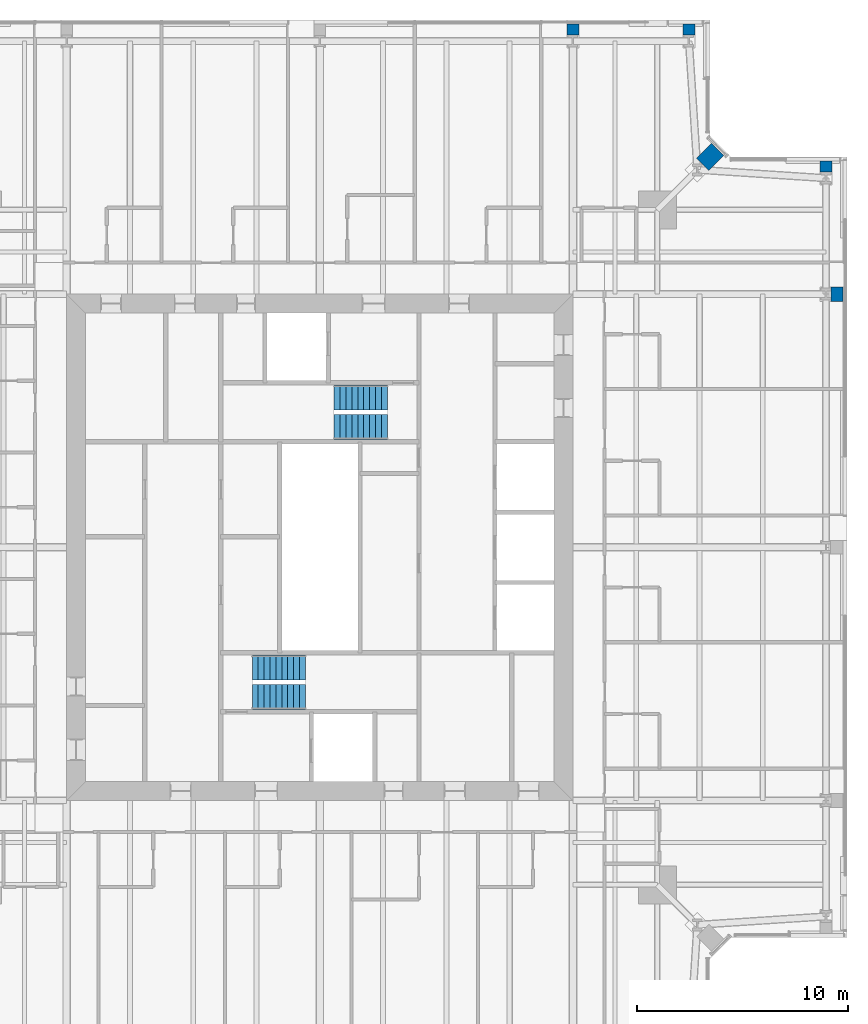
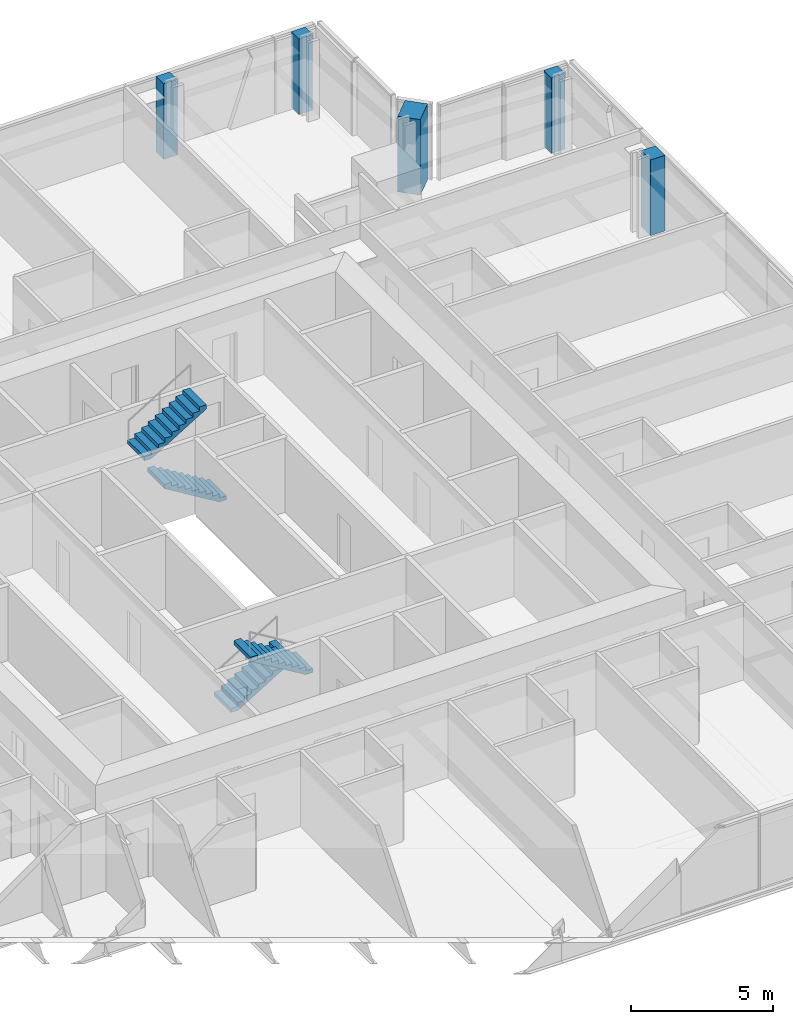
# One storey, part 15 of 20: 5 walls, 4 stair flights, 2 elements without a shape of their own.
"""IFC4 building model written with IfcOpenShell, lengths in metres."""

from ifc_helpers import new_model, si_unit, direction, frame, frame_2d, origin, place, context, subcontext, project, spatial, polyline, rectangle, outline, extrude, material, layer, layer_set, type_object, element, aggregate, save


model = new_model("IFC4")

# Units and contexts
model_context = context("Model", 3, precision=1e-05, world=origin(), true_north=direction((0.0, 1.0)))
body_context = subcontext(model_context, "Body", "Model", "MODEL_VIEW")
ifc_project = project(units=[si_unit("LENGTHUNIT", "METRE"), si_unit("AREAUNIT", "SQUARE_METRE"), si_unit("VOLUMEUNIT", "CUBIC_METRE"), si_unit("PLANEANGLEUNIT", "RADIAN"), si_unit("MASSUNIT", "GRAM", prefix="KILO")], contexts=[model_context])

# Site, building, storey
site_placement = place(None, origin())
site = spatial("IfcSite", under=ifc_project, at=site_placement, CompositionType="ELEMENT")
building_placement = place(site_placement, origin())
building = spatial("IfcBuilding", under=site, at=building_placement, Name="Fenwick Lantern Interchange", CompositionType="ELEMENT")
storey_placement = place(building_placement, frame((0.0, 0.0, 252.60009765625)))
storey = spatial("IfcBuildingStorey", under=building, at=storey_placement, Name="L59", CompositionType="ELEMENT", Elevation=252.60009765625)

# Walls
ifc_material_1 = material(Name="Fire-rated gypsum board encasement on steel studs, 2 hour", Category="steel")
ifc_layer_1 = layer(ifc_material_1, 0.554931640625)
ifc_layer_set_1 = layer_set([ifc_layer_1], Name="COLUMN PIER 555")
wall_type_1 = type_object("IfcWallType", Name="COLUMN PIER 555", PredefinedType="PARTITIONING", material=ifc_layer_set_1)
for number, where, z_axis, x_axis, name in (
    (1, (49.0, 43.31005859375, 0.0), (0.0, 0.0, 1.0), (0.0, -1.0, 0.0), "L59/W/PIER/CE5"),
    (2, (42.5, 49.81005859375, 0.0), (0.0, 0.0, 1.0), (0.0, -1.0, 0.0), "L59/W/PIER/CN1"),
    (3, (37.0, 49.81005859375, 0.0), (0.0, 0.0, 1.0), (0.0, -1.0, 0.0), "L59/W/PIER/CN2"),
):
    element("IfcWall", number, at=place(storey_placement, frame(where, z_axis=z_axis, x_axis=x_axis)), inside=storey, type_object=wall_type_1, Name=name, PredefinedType="PARTITIONING", context=body_context, shape_type="SweptSolid", body=[
        extrude(rectangle(XDim=0.525634765625, YDim=0.554931640625, at=frame_2d((0.2626953125, 0.0))), origin(), (0.0, 0.0, 1.0), 3.25),
    ])
ifc_layer_2 = layer(ifc_material_1, 0.6689453125)
ifc_layer_set_2 = layer_set([ifc_layer_2], Name="COLUMN PIER 669")
wall_type_2 = type_object("IfcWallType", Name="COLUMN PIER 669", PredefinedType="PARTITIONING", material=ifc_layer_set_2)
wall_1_placement = place(storey_placement, frame((49.81005859375, 37.0, 0.0), z_axis=(0.0, 0.0, 1.0), x_axis=(-1.0, 0.0, 0.0)))
element("IfcWall", 4, at=wall_1_placement, inside=storey, type_object=wall_type_2, Name="L59/W/PIER/CE4", PredefinedType="PARTITIONING", context=body_context, shape_type="SweptSolid", body=[
    extrude(rectangle(XDim=0.582763671875, YDim=0.6689453125, at=frame_2d((0.29150390625, 0.0))), origin(), (0.0, 0.0, 1.0), 3.25),
])
ifc_layer_3 = layer(ifc_material_1, 0.823974609375)
ifc_layer_set_3 = layer_set([ifc_layer_3], Name="COLUMN PIER 824")
wall_type_3 = type_object("IfcWallType", Name="COLUMN PIER 824", PredefinedType="PARTITIONING", material=ifc_layer_set_3)
wall_2_placement = place(storey_placement, frame((43.86572265625, 43.86572265625, 0.0), z_axis=(0.0, 0.0, 1.0), x_axis=(-0.707106781187, -0.707106781187, 0.0)))
element("IfcWall", 5, at=wall_2_placement, inside=storey, type_object=wall_type_3, Name="L59/W/PIER/CER", PredefinedType="PARTITIONING", context=body_context, shape_type="SweptSolid", body=[
    extrude(rectangle(XDim=1.003662109375, YDim=0.823974609375, at=frame_2d((0.501953125, 0.0))), origin(), (0.0, 0.0, 1.0), 3.25),
])

# Stair, stair flights
ifc_material_2 = material(Name="Precast concrete f'c 35 MPa", Category="concrete")
stair_type = type_object("IfcStairType", Name="EXIT STAIR 1200", PredefinedType="HALF_TURN_STAIR", material=ifc_material_2)
stair_1_placement = place(storey_placement, origin())
stair_1 = element("IfcStair", 6, at=stair_1_placement, inside=storey, type_object=stair_type, Name="Exit stair ST1", PredefinedType="HALF_TURN_STAIR")
stair_flight_type = type_object("IfcStairFlightType", Name="STAIR FLIGHT 1200", PredefinedType="STRAIGHT", material=ifc_material_2)
stair_flight_1_placement = place(storey_placement, frame((21.800048828125, 19.300048828125, 0.0), z_axis=(0.0, 0.0, 1.0), x_axis=(1.0, 0.0, 0.0)))
stair_flight_1 = element("IfcStairFlight", 7, at=stair_flight_1_placement, type_object=stair_flight_type, Name="ST1 flight 1", NumberOfRisers=10, NumberOfTreads=9, PredefinedType="STRAIGHT", RiserHeight=0.17, TreadLength=0.28, context=body_context, shape_type="SweptSolid", body=[
    extrude(outline(polyline([(0.0, 0.0), (0.0, 0.169921875), (0.280029296875, 0.169921875), (0.280029296875, 0.340087890625), (0.56005859375, 0.340087890625), (0.56005859375, 0.510009765625), (0.840087890625, 0.510009765625), (0.840087890625, 0.679931640625), (1.1201171875, 0.679931640625), (1.1201171875, 0.85009765625), (1.39990234375, 0.85009765625), (1.39990234375, 1.02001953125), (1.679931640625, 1.02001953125), (1.679931640625, 1.18994140625), (1.9599609375, 1.18994140625), (1.9599609375, 1.360107421875), (2.239990234375, 1.360107421875), (2.239990234375, 1.530029296875), (2.52001953125, 1.530029296875), (2.52001953125, 1.699951171875), (2.52001953125, 1.354736328125), (0.288818359375, 0.0), (0.0, 0.0)])), frame((0.0, 0.60009765625, 0.0), z_axis=(0.0, -1.0, 0.0), x_axis=(1.0, 0.0, 0.0)), (0.0, 0.0, 1.0), 1.199951171875),
])
stair_flight_2_placement = place(storey_placement, frame((24.320068359375, 17.89990234375, 1.699951171875), z_axis=(0.0, 0.0, 1.0), x_axis=(-1.0, 0.0, 0.0)))
stair_flight_2 = element("IfcStairFlight", 8, at=stair_flight_2_placement, type_object=stair_flight_type, Name="ST1 flight 2", NumberOfRisers=10, NumberOfTreads=9, PredefinedType="STRAIGHT", RiserHeight=0.17, TreadLength=0.28, context=body_context, shape_type="SweptSolid", body=[
    extrude(outline(polyline([(0.0, 0.0), (0.0, 0.169921875), (0.280029296875, 0.169921875), (0.280029296875, 0.340087890625), (0.56005859375, 0.340087890625), (0.56005859375, 0.510009765625), (0.840087890625, 0.510009765625), (0.840087890625, 0.679931640625), (1.1201171875, 0.679931640625), (1.1201171875, 0.85009765625), (1.39990234375, 0.85009765625), (1.39990234375, 1.02001953125), (1.679931640625, 1.02001953125), (1.679931640625, 1.18994140625), (1.9599609375, 1.18994140625), (1.9599609375, 1.360107421875), (2.239990234375, 1.360107421875), (2.239990234375, 1.530029296875), (2.52001953125, 1.530029296875), (2.52001953125, 1.699951171875), (2.52001953125, 1.354736328125), (0.288818359375, 0.0), (0.0, 0.0)])), frame((0.0, 0.60009765625, 0.0), z_axis=(0.0, -1.0, 0.0), x_axis=(1.0, 0.0, 0.0)), (0.0, 0.0, 1.0), 1.199951171875),
])
aggregate(stair_1, [stair_flight_1, stair_flight_2])

stair_2_placement = place(storey_placement, origin())
stair_2 = element("IfcStair", 9, at=stair_2_placement, inside=storey, type_object=stair_type, Name="Exit stair ST2", PredefinedType="HALF_TURN_STAIR")
stair_flight_3_placement = place(storey_placement, frame((28.199951171875, 30.699951171875, 0.0), z_axis=(0.0, 0.0, 1.0), x_axis=(-1.0, 0.0, 0.0)))
stair_flight_3 = element("IfcStairFlight", 10, at=stair_flight_3_placement, type_object=stair_flight_type, Name="ST2 flight 1", NumberOfRisers=10, NumberOfTreads=9, PredefinedType="STRAIGHT", RiserHeight=0.17, TreadLength=0.28, context=body_context, shape_type="SweptSolid", body=[
    extrude(outline(polyline([(0.0, 0.0), (0.0, 0.169921875), (0.280029296875, 0.169921875), (0.280029296875, 0.340087890625), (0.56005859375, 0.340087890625), (0.56005859375, 0.510009765625), (0.840087890625, 0.510009765625), (0.840087890625, 0.679931640625), (1.1201171875, 0.679931640625), (1.1201171875, 0.85009765625), (1.39990234375, 0.85009765625), (1.39990234375, 1.02001953125), (1.679931640625, 1.02001953125), (1.679931640625, 1.18994140625), (1.9599609375, 1.18994140625), (1.9599609375, 1.360107421875), (2.239990234375, 1.360107421875), (2.239990234375, 1.530029296875), (2.52001953125, 1.530029296875), (2.52001953125, 1.699951171875), (2.52001953125, 1.354736328125), (0.288818359375, 0.0), (0.0, 0.0)])), frame((0.0, 0.60009765625, 0.0), z_axis=(0.0, -1.0, 0.0), x_axis=(1.0, 0.0, 0.0)), (0.0, 0.0, 1.0), 1.199951171875),
])
stair_flight_4_placement = place(storey_placement, frame((25.679931640625, 32.10009765625, 1.699951171875), z_axis=(0.0, 0.0, 1.0), x_axis=(1.0, 0.0, 0.0)))
stair_flight_4 = element("IfcStairFlight", 11, at=stair_flight_4_placement, type_object=stair_flight_type, Name="ST2 flight 2", NumberOfRisers=10, NumberOfTreads=9, PredefinedType="STRAIGHT", RiserHeight=0.17, TreadLength=0.28, context=body_context, shape_type="SweptSolid", body=[
    extrude(outline(polyline([(0.0, 0.0), (0.0, 0.169921875), (0.280029296875, 0.169921875), (0.280029296875, 0.340087890625), (0.56005859375, 0.340087890625), (0.56005859375, 0.510009765625), (0.840087890625, 0.510009765625), (0.840087890625, 0.679931640625), (1.1201171875, 0.679931640625), (1.1201171875, 0.85009765625), (1.39990234375, 0.85009765625), (1.39990234375, 1.02001953125), (1.679931640625, 1.02001953125), (1.679931640625, 1.18994140625), (1.9599609375, 1.18994140625), (1.9599609375, 1.360107421875), (2.239990234375, 1.360107421875), (2.239990234375, 1.530029296875), (2.52001953125, 1.530029296875), (2.52001953125, 1.699951171875), (2.52001953125, 1.354736328125), (0.288818359375, 0.0), (0.0, 0.0)])), frame((0.0, 0.60009765625, 0.0), z_axis=(0.0, -1.0, 0.0), x_axis=(1.0, 0.0, 0.0)), (0.0, 0.0, 1.0), 1.199951171875),
])
aggregate(stair_2, [stair_flight_3, stair_flight_4])

save(model, "model.ifc")
